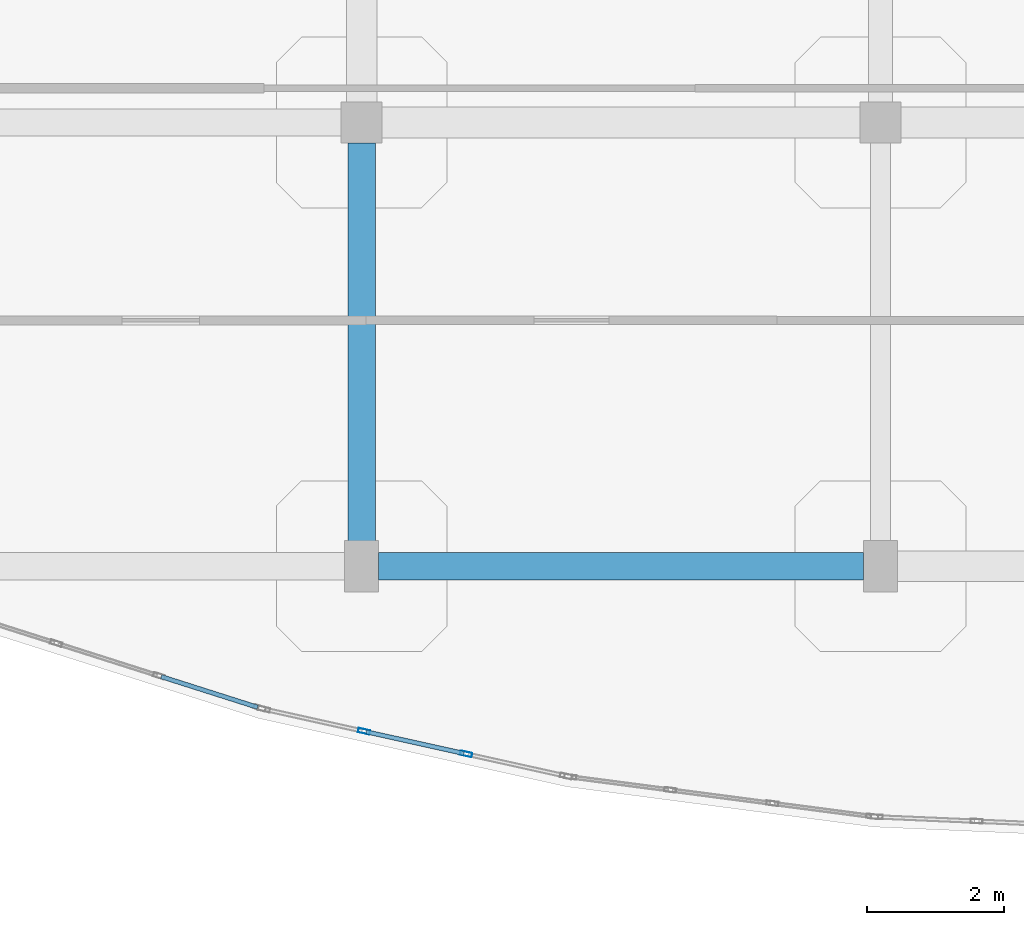
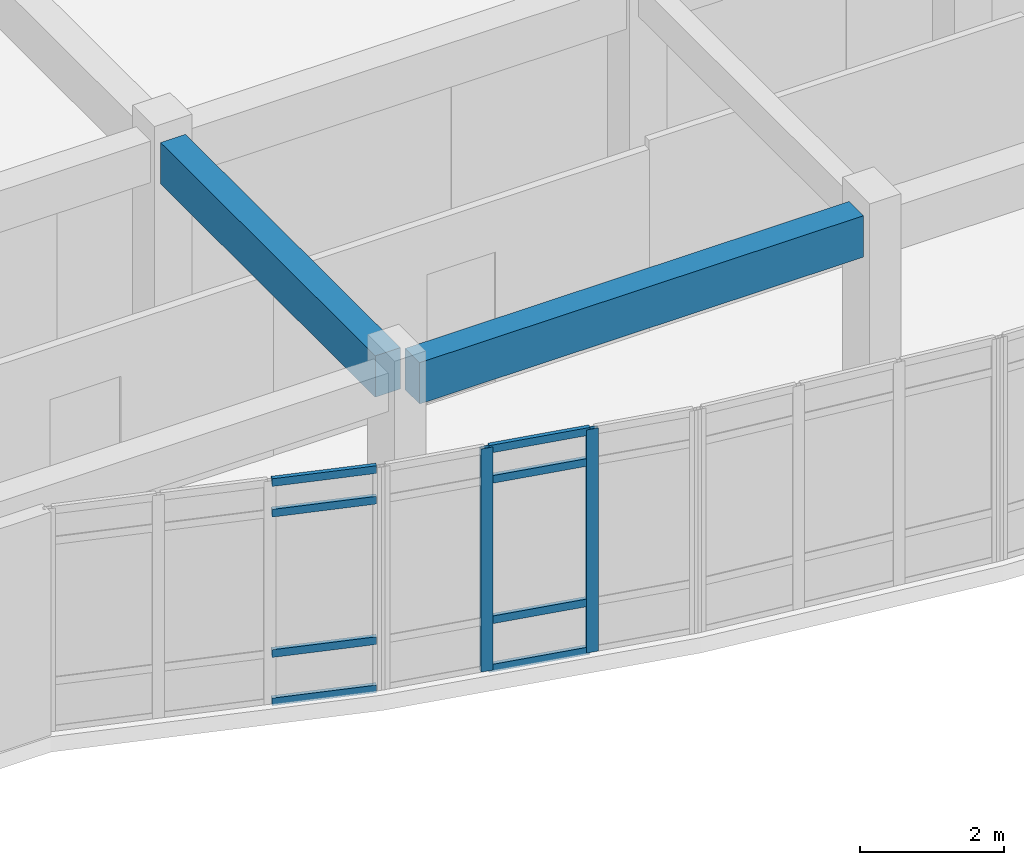
# One storey, part 53 of 91: 10 members, 2 beams, 2 elements without a shape of their own.
"""IFC4 building model written with IfcOpenShell, lengths in metres."""

import ifcopenshell
import ifcopenshell.guid

model = None  # the IFC model being written
_history = None  # IfcOwnerHistory: only IFC2X3 demands one
_inside = {}  # id of a spatial element -> (the spatial element, [elements in it])
_under = {}  # id of a project, library or spatial element -> (it, [spatial elements below it])
_declared = {}  # id of a project -> (the project, [libraries it declares])
_typed = {}  # id of a type object -> (the type object, [elements of that type])
_made_of = {}  # id of a material, layer set ... -> (it, [elements and type objects made of it])


def new_model(schema):
    """Start an empty IFC model of exactly this schema.

    Asked for "IFC4X3", IfcOpenShell would pick the latest addendum, in which some entities
    have other attributes; the version numbers below select the first issue.
    IFC2X3 requires an IfcOwnerHistory on every rooted entity: one is made here for all.
    """
    global model, _history
    if schema == "IFC4X3":
        model = ifcopenshell.file(schema_version=(4, 3, 0, 0))
    else:
        model = ifcopenshell.file(schema=schema)
    _inside.clear()
    _under.clear()
    _declared.clear()
    _typed.clear()
    _made_of.clear()
    _history = None
    if model.schema == "IFC2X3":
        org = make("IfcOrganization", Name="unknown")
        user = make(
            "IfcPersonAndOrganization",
            ThePerson=make("IfcPerson", FamilyName="unknown"),
            TheOrganization=org,
        )
        app = make(
            "IfcApplication",
            ApplicationDeveloper=org,
            Version="unknown",
            ApplicationFullName="unknown",
            ApplicationIdentifier="unknown",
        )
        _history = make(
            "IfcOwnerHistory",
            OwningUser=user,
            OwningApplication=app,
            ChangeAction="ADDED",
            CreationDate=0,
        )
    return model


def make(cls, **values):
    """One entity of the class cls with the attributes given. An attribute that is None is left unset."""
    return model.create_entity(
        cls, **{name: value for name, value in values.items() if value is not None}
    )


def rooted(cls, **values):
    """An entity with a GlobalId (a new one), such as an element, a storey or a relation."""
    return make(cls, GlobalId=ifcopenshell.guid.new(), OwnerHistory=_history, **values)


def si_unit(unit_type, name, prefix=None):
    """IfcSIUnit, for example si_unit("LENGTHUNIT", "METRE", prefix="MILLI")."""
    return make("IfcSIUnit", UnitType=unit_type, Prefix=prefix, Name=name)


def assignment(units):
    """IfcUnitAssignment: the units of a project."""
    return None if units is None else make("IfcUnitAssignment", Units=units)


def point(xyz):
    """IfcCartesianPoint."""
    return None if xyz is None else make("IfcCartesianPoint", Coordinates=xyz)


def direction(xyz):
    """IfcDirection."""
    return None if xyz is None else make("IfcDirection", DirectionRatios=xyz)


def frame(location, z_axis=None, x_axis=None):
    """IfcAxis2Placement3D, a coordinate frame: its origin and axes. An axis left out is left unset."""
    return make(
        "IfcAxis2Placement3D",
        Location=point(location),
        Axis=direction(z_axis),
        RefDirection=direction(x_axis),
    )


def frame_2d(location, x_axis=None):
    """IfcAxis2Placement2D, a coordinate frame in the plane: its origin and x axis."""
    return make(
        "IfcAxis2Placement2D", Location=point(location), RefDirection=direction(x_axis)
    )


def origin():
    """The frame at (0, 0, 0) with its axes left unset."""
    return frame((0.0, 0.0, 0.0))


def origin_2d():
    """The frame at (0, 0) in the plane with its x axis left unset."""
    return frame_2d((0.0, 0.0))


def place(relative_to, where):
    """IfcLocalPlacement: puts the frame where relative to a parent placement (None: the world)."""
    return make(
        "IfcLocalPlacement", PlacementRelTo=relative_to, RelativePlacement=where
    )


def context(
    kind, dimensions, precision=None, world=None, true_north=None, identifier=None
):
    """IfcGeometricRepresentationContext, for example the 3D "Model" context."""
    return make(
        "IfcGeometricRepresentationContext",
        ContextIdentifier=identifier,
        ContextType=kind,
        CoordinateSpaceDimension=dimensions,
        Precision=precision,
        WorldCoordinateSystem=world,
        TrueNorth=true_north,
    )


def subcontext(parent, identifier, kind, view, scale=None):
    """IfcGeometricRepresentationSubContext, for example "Body" below "Model"."""
    return make(
        "IfcGeometricRepresentationSubContext",
        ContextIdentifier=identifier,
        ContextType=kind,
        ParentContext=parent,
        TargetScale=scale,
        TargetView=view,
    )


def project(units=None, contexts=None):
    """IfcProject with its units and contexts."""
    return rooted(
        "IfcProject",
        Name="project",
        RepresentationContexts=contexts,
        UnitsInContext=assignment(units),
    )


def spatial(cls, under=None, at=None, **own):
    """A site, building, storey or space (cls), placed at a placement, below another one or the project."""
    s = rooted(cls, ObjectPlacement=at, **own)
    if under is not None:
        _under.setdefault(under.id(), (under, []))[1].append(s)
    return s


def profile(cls, at=None, kind="AREA", **sizes):
    """A parametric profile (cls). Its sizes go by their IFC names, for example OverallWidth=200.0."""
    return make(cls, ProfileType=kind, Position=at, **sizes)


def rectangle(**sizes):
    """IfcRectangleProfileDef."""
    return profile("IfcRectangleProfileDef", **sizes)


def hollow_rectangle(**sizes):
    """IfcRectangleHollowProfileDef."""
    return profile("IfcRectangleHollowProfileDef", **sizes)


def extrude(swept, where, along, depth):
    """IfcExtrudedAreaSolid: the profile swept, set in the frame where, extruded along a direction by depth."""
    return make(
        "IfcExtrudedAreaSolid",
        SweptArea=swept,
        Position=where,
        ExtrudedDirection=direction(along),
        Depth=depth,
    )


def shape(context_of_items, identifier, shape_type, items):
    """IfcShapeRepresentation: the items that make up one representation, for example the "Body"."""
    return make(
        "IfcShapeRepresentation",
        ContextOfItems=context_of_items,
        RepresentationIdentifier=identifier,
        RepresentationType=shape_type,
        Items=items,
    )


def material(Name=None, Category=None):
    """IfcMaterial."""
    return make("IfcMaterial", Name=Name, Category=Category)


def layer(
    of_material, thickness, ventilated=None, Name=None, Category=None, Priority=None
):
    """IfcMaterialLayer: one layer of a wall or slab, of a material (None: an air gap)."""
    return make(
        "IfcMaterialLayer",
        Material=of_material,
        LayerThickness=thickness,
        IsVentilated=ventilated,
        Name=Name,
        Category=Category,
        Priority=Priority,
    )


def layer_set(layers, Name=None):
    """IfcMaterialLayerSet."""
    return make("IfcMaterialLayerSet", MaterialLayers=layers, LayerSetName=Name)


def material_profile(
    of_material, cross_section, Name=None, Category=None, Priority=None
):
    """IfcMaterialProfile: a cross section and its material."""
    return make(
        "IfcMaterialProfile",
        Name=Name,
        Material=of_material,
        Profile=cross_section,
        Priority=Priority,
        Category=Category,
    )


def profile_set(profiles, Name=None, composite=None):
    """IfcMaterialProfileSet."""
    return make(
        "IfcMaterialProfileSet",
        Name=Name,
        MaterialProfiles=profiles,
        CompositeProfile=composite,
    )


def made_of(thing, what):
    """Note that an element or type object is made of a material, layer set ...; save() writes the relation."""
    if what is not None:
        _made_of.setdefault(what.id(), (what, []))[1].append(thing)
    return thing


def type_object(cls, material=None, **own):
    """A type object (cls), such as IfcWallType, which elements share."""
    return made_of(rooted(cls, **own), material)


def element(
    cls,
    number,
    at=None,
    inside=None,
    cuts=None,
    type_object=None,
    material=None,
    context=None,
    identifier="Body",
    shape_type=None,
    held_by="IfcProductDefinitionShape",
    body=None,
    shapes=None,
    **own,
):
    """One element of the class cls, such as IfcWall. Its Tag is "e" and its number.

    at: its placement. inside: the storey or other place that contains it. cuts: it is an
    opening in that element (IfcRelVoidsElement). A single representation is given by context,
    identifier, shape_type and body (its items); several are given by shapes. held_by: the class
    of the entity that holds the representations. save() writes the other relations.
    """
    e = rooted(cls, Tag="e%d" % number, ObjectPlacement=at, **own)
    if body is not None:
        shapes = [shape(context, identifier, shape_type, body)]
    if shapes is not None:
        e.Representation = make(held_by, Representations=shapes)
    if inside is not None:
        _inside.setdefault(inside.id(), (inside, []))[1].append(e)
    if cuts is not None:
        rooted(
            "IfcRelVoidsElement", RelatingBuildingElement=cuts, RelatedOpeningElement=e
        )
    if type_object is not None:
        _typed.setdefault(type_object.id(), (type_object, []))[1].append(e)
    return made_of(e, material)


def aggregate(whole, parts):
    """IfcRelAggregates: a whole, such as a stair, and the parts it consists of."""
    return rooted("IfcRelAggregates", RelatingObject=whole, RelatedObjects=parts)


def save(model, path):
    """Write the relations noted so far, then the file.

    IfcRelAggregates (storeys below a building ...), IfcRelContainedInSpatialStructure (elements
    in a storey), IfcRelDefinesByType, IfcRelAssociatesMaterial and IfcRelDeclares: one each for
    every whole, place, type object, material and project.
    """
    for whole, parts in _under.values():
        aggregate(whole, parts)
    for where, things in _inside.values():
        rooted(
            "IfcRelContainedInSpatialStructure",
            RelatedElements=things,
            RelatingStructure=where,
        )
    for kind, things in _typed.values():
        rooted("IfcRelDefinesByType", RelatedObjects=things, RelatingType=kind)
    for what, things in _made_of.values():
        rooted("IfcRelAssociatesMaterial", RelatedObjects=things, RelatingMaterial=what)
    for by, libraries in _declared.values():
        rooted("IfcRelDeclares", RelatingContext=by, RelatedDefinitions=libraries)
    model.write(path)


model = new_model("IFC4")

# Units and contexts
model_context = context("Model", 3, precision=1e-05, world=origin(), true_north=direction((0.0, 1.0)))
body_context = subcontext(model_context, "Body", "Model", "MODEL_VIEW")
ifc_project = project(units=[si_unit("LENGTHUNIT", "METRE"), si_unit("AREAUNIT", "SQUARE_METRE"), si_unit("VOLUMEUNIT", "CUBIC_METRE"), si_unit("PLANEANGLEUNIT", "RADIAN"), si_unit("MASSUNIT", "GRAM", prefix="KILO")], contexts=[model_context])

# Site, building, storey
site_placement = place(None, origin())
site = spatial("IfcSite", under=ifc_project, at=site_placement, CompositionType="ELEMENT")
building_placement = place(site_placement, origin())
building = spatial("IfcBuilding", under=site, at=building_placement, Name="Valcora Specialist Clinic", CompositionType="ELEMENT")
storey_placement = place(building_placement, frame((0.0, 0.0, 13.60009765625)))
storey = spatial("IfcBuildingStorey", under=building, at=storey_placement, Name="L03", CompositionType="ELEMENT", Elevation=13.60009765625)

# Beams
ifc_material_1 = material(Name="Concrete C40/50", Category="concrete")
ifc_material_profile_1 = material_profile(ifc_material_1, rectangle(XDim=0.39990234375, YDim=0.699951171875, at=origin_2d()), Name="RC-BM-400X700")
ifc_profile_set_1 = profile_set([ifc_material_profile_1], Name="Concrete C40/50")
beam_type = type_object("IfcBeamType", Name="TY-BM-RC400X700", PredefinedType="BEAM", material=ifc_profile_set_1)
beam_1_placement = place(storey_placement, frame((98.64990234375, 74.800048828125, 3.4248046875), z_axis=(1.0, 0.0, 0.0), x_axis=(0.0, 1.0, 0.0)))
element("IfcBeam", 1, at=beam_1_placement, inside=storey, type_object=beam_type, Name="Beam BM-L03-0772", PredefinedType="BEAM", context=body_context, shape_type="SweptSolid", body=[
    extrude(rectangle(XDim=0.39990234375, YDim=0.699951171875, at=origin_2d()), origin(), (0.0, 0.0, 1.0), 7.10009765625),
])
beam_2_placement = place(storey_placement, frame((98.39990234375, 75.050048828125, 3.4248046875), z_axis=(0.0, 1.0, 0.0), x_axis=(-1.0, 0.0, 0.0)))
element("IfcBeam", 2, at=beam_2_placement, inside=storey, type_object=beam_type, Name="Beam BM-L03-0818", PredefinedType="BEAM", context=body_context, shape_type="SweptSolid", body=[
    extrude(rectangle(XDim=0.39990234375, YDim=0.699951171875, at=origin_2d()), origin(), (0.0, 0.0, 1.0), 5.949951171875),
])

# Curtain wall, members
ifc_material_2 = material(Name="Anodized Bronze Aluminium 6063-T6", Category="aluminium")
ifc_layer = layer(ifc_material_2, 0.175048828125)
ifc_layer_set = layer_set([ifc_layer], Name="Anodized Bronze Aluminium 6063-T6")
curtain_wall_type = type_object("IfcCurtainWallType", Name="TY-CW-ARC40", PredefinedType="NOTDEFINED", material=ifc_layer_set)
curtain_wall_1_placement = place(storey_placement, origin())
curtain_wall_1 = element("IfcCurtainWall", 3, at=curtain_wall_1_placement, inside=storey, type_object=curtain_wall_type, Name="Curtain wall CW-L03-123", PredefinedType="NOTDEFINED")
ifc_material_profile_2 = material_profile(ifc_material_2, hollow_rectangle(XDim=0.06494140625, YDim=0.175048828125, WallThickness=0.00390625, at=origin_2d()), Name="AL-MUL-65X175")
ifc_profile_set_2 = profile_set([ifc_material_profile_2], Name="Anodized Bronze Aluminium 6063-T6")
member_type_1 = type_object("IfcMemberType", Name="TY-CWM-65X175", PredefinedType="MULLION", material=ifc_profile_set_2)
member_1_placement = place(storey_placement, frame((99.930419921875, 72.049560546875, 0.0), z_axis=(0.0, 0.0, 1.0), x_axis=(-0.216518052372, -0.976278614432, 0.0)))
member_1 = element("IfcMember", 4, at=member_1_placement, type_object=member_type_1, Name="CW-ARC-40 mullion 2", PredefinedType="MULLION", context=body_context, shape_type="SweptSolid", body=[
    extrude(hollow_rectangle(XDim=0.06494140625, YDim=0.175048828125, WallThickness=0.00390625, at=origin_2d()), origin(), (0.0, 0.0, 1.0), 3.77490234375),
])
member_2_placement = place(storey_placement, frame((98.434814453125, 72.38134765625, 0.0), z_axis=(0.0, 0.0, 1.0), x_axis=(-0.216518052372, -0.976278614432, 0.0)))
member_2 = element("IfcMember", 5, at=member_2_placement, type_object=member_type_1, Name="CW-ARC-40 mullion 3", PredefinedType="MULLION", context=body_context, shape_type="SweptSolid", body=[
    extrude(hollow_rectangle(XDim=0.06494140625, YDim=0.175048828125, WallThickness=0.00390625, at=origin_2d()), origin(), (0.0, 0.0, 1.0), 3.77490234375),
])
ifc_material_profile_3 = material_profile(ifc_material_2, hollow_rectangle(XDim=0.06494140625, YDim=0.1298828125, WallThickness=0.00390625, at=origin_2d()), Name="AL-TRN-65X130")
ifc_profile_set_3 = profile_set([ifc_material_profile_3], Name="Anodized Bronze Aluminium 6063-T6")
member_type_2 = type_object("IfcMemberType", Name="TY-CWT-65X130", PredefinedType="USERDEFINED", material=ifc_profile_set_3)
member_3_placement = place(storey_placement, frame((99.898681640625, 72.056640625, 0.032470703125), z_axis=(-0.976277043921, 0.216525133676, 0.0), x_axis=(-0.216525133676, -0.976277043921, 0.0)))
member_3 = element("IfcMember", 6, at=member_3_placement, type_object=member_type_2, Name="CW-ARC-40 transom 2.1", ObjectType="TRANSOM", PredefinedType="USERDEFINED", context=body_context, shape_type="SweptSolid", body=[
    extrude(hollow_rectangle(XDim=0.06494140625, YDim=0.1298828125, WallThickness=0.00390625, at=origin_2d()), origin(), (0.0, 0.0, 1.0), 1.467041015625),
])
member_4_placement = place(storey_placement, frame((99.898681640625, 72.056640625, 0.849853515625), z_axis=(-0.976277043921, 0.216525133676, 0.0), x_axis=(-0.216525133676, -0.976277043921, 0.0)))
member_4 = element("IfcMember", 7, at=member_4_placement, type_object=member_type_2, Name="CW-ARC-40 transom 2.2", ObjectType="TRANSOM", PredefinedType="USERDEFINED", context=body_context, shape_type="SweptSolid", body=[
    extrude(hollow_rectangle(XDim=0.06494140625, YDim=0.1298828125, WallThickness=0.00390625, at=origin_2d()), origin(), (0.0, 0.0, 1.0), 1.467041015625),
])
member_5_placement = place(storey_placement, frame((99.898681640625, 72.056640625, 3.224853515625), z_axis=(-0.976277043921, 0.216525133676, 0.0), x_axis=(-0.216525133676, -0.976277043921, 0.0)))
member_5 = element("IfcMember", 8, at=member_5_placement, type_object=member_type_2, Name="CW-ARC-40 transom 2.3", ObjectType="TRANSOM", PredefinedType="USERDEFINED", context=body_context, shape_type="SweptSolid", body=[
    extrude(hollow_rectangle(XDim=0.06494140625, YDim=0.1298828125, WallThickness=0.00390625, at=origin_2d()), origin(), (0.0, 0.0, 1.0), 1.467041015625),
])
member_6_placement = place(storey_placement, frame((99.898681640625, 72.056640625, 3.742431640625), z_axis=(-0.976277043921, 0.216525133676, 0.0), x_axis=(-0.216525133676, -0.976277043921, 0.0)))
member_6 = element("IfcMember", 9, at=member_6_placement, type_object=member_type_2, Name="CW-ARC-40 transom 2.4", ObjectType="TRANSOM", PredefinedType="USERDEFINED", context=body_context, shape_type="SweptSolid", body=[
    extrude(hollow_rectangle(XDim=0.06494140625, YDim=0.1298828125, WallThickness=0.00390625, at=origin_2d()), origin(), (0.0, 0.0, 1.0), 1.467041015625),
])
aggregate(curtain_wall_1, [member_1, member_2, member_3, member_4, member_5, member_6])

curtain_wall_2_placement = place(storey_placement, origin())
curtain_wall_2 = element("IfcCurtainWall", 10, at=curtain_wall_2_placement, inside=storey, type_object=curtain_wall_type, Name="Curtain wall CW-L03-124", PredefinedType="NOTDEFINED")
member_7_placement = place(storey_placement, frame((96.877197265625, 72.732666015625, 0.032470703125), z_axis=(-0.952910635624, 0.303251249816, 0.0), x_axis=(-0.303251249816, -0.952910635624, 0.0)))
member_7 = element("IfcMember", 11, at=member_7_placement, type_object=member_type_2, Name="CW-ARC-40 transom 1.1", ObjectType="TRANSOM", PredefinedType="USERDEFINED", context=body_context, shape_type="SweptSolid", body=[
    extrude(hollow_rectangle(XDim=0.06494140625, YDim=0.1298828125, WallThickness=0.00390625, at=origin_2d()), origin(), (0.0, 0.0, 1.0), 1.482177734375),
])
member_8_placement = place(storey_placement, frame((96.877197265625, 72.732666015625, 0.849853515625), z_axis=(-0.952910635624, 0.303251249816, 0.0), x_axis=(-0.303251249816, -0.952910635624, 0.0)))
member_8 = element("IfcMember", 12, at=member_8_placement, type_object=member_type_2, Name="CW-ARC-40 transom 1.2", ObjectType="TRANSOM", PredefinedType="USERDEFINED", context=body_context, shape_type="SweptSolid", body=[
    extrude(hollow_rectangle(XDim=0.06494140625, YDim=0.1298828125, WallThickness=0.00390625, at=origin_2d()), origin(), (0.0, 0.0, 1.0), 1.482177734375),
])
member_9_placement = place(storey_placement, frame((96.877197265625, 72.732666015625, 3.224853515625), z_axis=(-0.952910635624, 0.303251249816, 0.0), x_axis=(-0.303251249816, -0.952910635624, 0.0)))
member_9 = element("IfcMember", 13, at=member_9_placement, type_object=member_type_2, Name="CW-ARC-40 transom 1.3", ObjectType="TRANSOM", PredefinedType="USERDEFINED", context=body_context, shape_type="SweptSolid", body=[
    extrude(hollow_rectangle(XDim=0.06494140625, YDim=0.1298828125, WallThickness=0.00390625, at=origin_2d()), origin(), (0.0, 0.0, 1.0), 1.482177734375),
])
member_10_placement = place(storey_placement, frame((96.877197265625, 72.732666015625, 3.742431640625), z_axis=(-0.952910635624, 0.303251249816, 0.0), x_axis=(-0.303251249816, -0.952910635624, 0.0)))
member_10 = element("IfcMember", 14, at=member_10_placement, type_object=member_type_2, Name="CW-ARC-40 transom 1.4", ObjectType="TRANSOM", PredefinedType="USERDEFINED", context=body_context, shape_type="SweptSolid", body=[
    extrude(hollow_rectangle(XDim=0.06494140625, YDim=0.1298828125, WallThickness=0.00390625, at=origin_2d()), origin(), (0.0, 0.0, 1.0), 1.482177734375),
])
aggregate(curtain_wall_2, [member_7, member_8, member_9, member_10])

save(model, "model.ifc")
